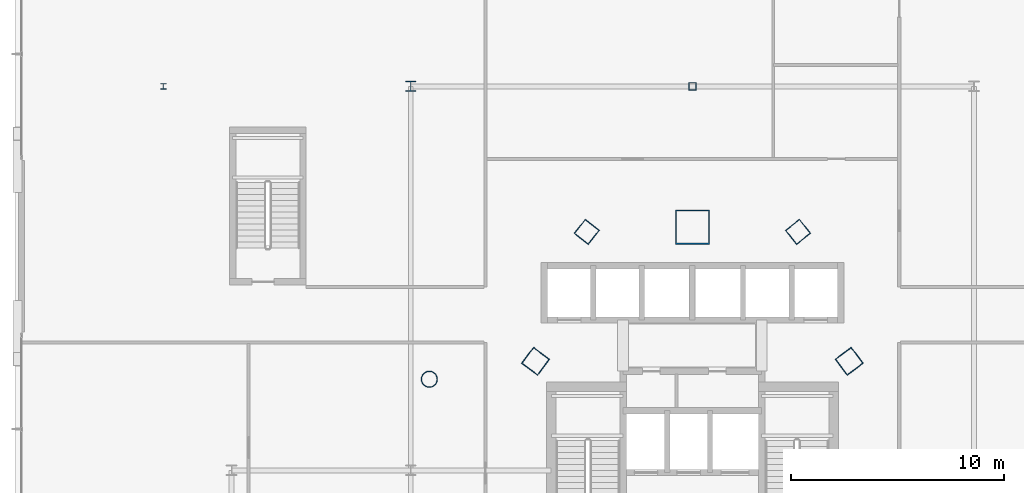
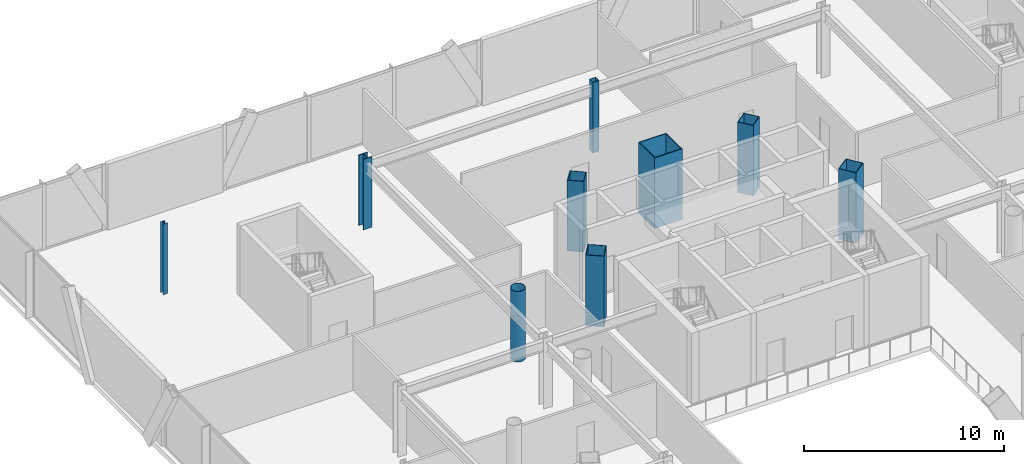
# One storey, part 3 of 42: 9 columns.
"""IFC4 building model written with IfcOpenShell, lengths in metres."""

from ifc_helpers import new_model, si_unit, direction, frame, origin, origin_2d, place, context, subcontext, project, spatial, hollow_rectangle, hollow_circle, i_section, extrude, material, material_profile, profile_set, type_object, element, save


model = new_model("IFC4")

# Units and contexts
model_context = context("Model", 3, precision=1e-05, world=origin(), true_north=direction((0.0, 1.0)))
body_context = subcontext(model_context, "Body", "Model", "MODEL_VIEW")
ifc_project = project(units=[si_unit("LENGTHUNIT", "METRE"), si_unit("AREAUNIT", "SQUARE_METRE"), si_unit("VOLUMEUNIT", "CUBIC_METRE"), si_unit("PLANEANGLEUNIT", "RADIAN"), si_unit("MASSUNIT", "GRAM", prefix="KILO")], contexts=[model_context])

# Site, building, storey
site_placement = place(None, origin())
site = spatial("IfcSite", under=ifc_project, at=site_placement, CompositionType="ELEMENT")
building_placement = place(site_placement, origin())
building = spatial("IfcBuilding", under=site, at=building_placement, Name="Orvanel Arch Residences", CompositionType="ELEMENT")
storey_placement = place(building_placement, frame((0.0, 0.0, 5.5)))
storey = spatial("IfcBuildingStorey", under=building, at=storey_placement, Name="L01", CompositionType="ELEMENT", Elevation=5.5)

# Columns
ifc_material_1 = material(Name="Structural steel AS/NZS 1163 C450L0 (Grade 450)", Category="steel")
ifc_material_profile_1 = material_profile(ifc_material_1, hollow_circle(Radius=0.381103515625, WallThickness=0.02197265625, at=origin_2d()), Name="CHS762x22")
ifc_profile_set_1 = profile_set([ifc_material_profile_1], Name="Structural steel AS/NZS 1163 C450L0 (Grade 450)")
column_type_1 = type_object("IfcColumnType", Name="CC-762", PredefinedType="COLUMN", material=ifc_profile_set_1)
column_1_placement = place(storey_placement, frame((20.669921875, 34.27099609375, 0.0), z_axis=(0.0, 0.0, 1.0), x_axis=(1.0, 0.0, 0.0)))
element("IfcColumn", 1, at=column_1_placement, inside=storey, type_object=column_type_1, Name="L01 Low-Rise Buttress Tube Column 01", PredefinedType="COLUMN", context=body_context, shape_type="SweptSolid", body=[
    extrude(hollow_circle(Radius=0.381103515625, WallThickness=0.02197265625, at=origin_2d()), origin(), (0.0, 0.0, 1.0), 4.300048828125),
])
ifc_material_2 = material(Name="Structural steel AS/NZS 3678 Grade 450", Category="steel")
ifc_material_profile_2 = material_profile(ifc_material_2, hollow_rectangle(XDim=1.60009765625, YDim=1.60009765625, WallThickness=0.050048828125, at=origin_2d()), Name="BOX1600x1600x50")
ifc_profile_set_2 = profile_set([ifc_material_profile_2], Name="Structural steel AS/NZS 3678 Grade 450")
column_type_2 = type_object("IfcColumnType", Name="MC-1600", PredefinedType="COLUMN", material=ifc_profile_set_2)
column_2_placement = place(storey_placement, frame((33.0, 41.39794921875, 0.0), z_axis=(0.0, 0.0, 1.0), x_axis=(1.0, 0.0, 0.0)))
element("IfcColumn", 2, at=column_2_placement, inside=storey, type_object=column_type_2, Name="L01 Corner Composite Mega-Column 1", PredefinedType="COLUMN", context=body_context, shape_type="SweptSolid", body=[
    extrude(hollow_rectangle(XDim=1.60009765625, YDim=1.60009765625, WallThickness=0.050048828125, at=origin_2d()), origin(), (0.0, 0.0, 1.0), 4.300048828125),
])
ifc_material_3 = material(Name="Structural steel AS/NZS 1163 C350L0 (Grade 350)", Category="steel")
ifc_material_profile_3 = material_profile(ifc_material_3, hollow_rectangle(XDim=0.35009765625, YDim=0.35009765625, WallThickness=0.01611328125, at=origin_2d()), Name="SHS350x350x16")
ifc_profile_set_3 = profile_set([ifc_material_profile_3], Name="Structural steel AS/NZS 1163 C350L0 (Grade 350)")
column_type_3 = type_object("IfcColumnType", Name="OC-350SHS", PredefinedType="COLUMN", material=ifc_profile_set_3)
column_3_placement = place(storey_placement, frame((33.0, 48.0, 0.0), z_axis=(0.0, 0.0, 1.0), x_axis=(1.0, 0.0, 0.0)))
element("IfcColumn", 3, at=column_3_placement, inside=storey, type_object=column_type_3, Name="L01 Auxiliary Podium Column 07", PredefinedType="COLUMN", context=body_context, shape_type="SweptSolid", body=[
    extrude(hollow_rectangle(XDim=0.35009765625, YDim=0.35009765625, WallThickness=0.01611328125, at=origin_2d()), origin(), (0.0, 0.0, 1.0), 4.300048828125),
])
ifc_material_4 = material(Name="Structural steel AS/NZS 3679.1 Grade 300 (300 MPa)", Category="steel")
ifc_material_profile_4 = material_profile(ifc_material_4, i_section(OverallWidth=0.256103515625, OverallDepth=0.260009765625, WebThickness=0.010498046875, FlangeThickness=0.017333984375, at=origin_2d()), Name="250UC89.5")
ifc_profile_set_4 = profile_set([ifc_material_profile_4], Name="Structural steel AS/NZS 3679.1 Grade 300 (300 MPa)")
column_type_4 = type_object("IfcColumnType", Name="SC-250UC", PredefinedType="COLUMN", material=ifc_profile_set_4)
column_4_placement = place(storey_placement, frame((8.199951171875, 48.0, 0.0), z_axis=(0.0, 0.0, 1.0), x_axis=(1.0, 0.0, 0.0)))
element("IfcColumn", 4, at=column_4_placement, inside=storey, type_object=column_type_4, Name="L01 Auxiliary Podium Column 05", PredefinedType="COLUMN", context=body_context, shape_type="SweptSolid", body=[
    extrude(i_section(OverallWidth=0.256103515625, OverallDepth=0.260009765625, WebThickness=0.010498046875, FlangeThickness=0.017333984375, at=origin_2d()), origin(), (0.0, 0.0, 1.0), 4.300048828125),
])
ifc_material_profile_5 = material_profile(ifc_material_4, i_section(OverallWidth=0.5, OverallDepth=0.47998046875, WebThickness=0.028076171875, FlangeThickness=0.0400390625, at=origin_2d()), Name="500WC440")
ifc_profile_set_5 = profile_set([ifc_material_profile_5], Name="Structural steel AS/NZS 3679.1 Grade 300 (300 MPa)")
column_type_5 = type_object("IfcColumnType", Name="SC-500WC", PredefinedType="COLUMN", material=ifc_profile_set_5)
column_5_placement = place(storey_placement, frame((19.800048828125, 48.0, 0.0), z_axis=(0.0, 0.0, 1.0), x_axis=(1.0, 0.0, 0.0)))
element("IfcColumn", 5, at=column_5_placement, inside=storey, type_object=column_type_5, Name="L01 Podium Grid Column 07", PredefinedType="COLUMN", context=body_context, shape_type="SweptSolid", body=[
    extrude(i_section(OverallWidth=0.5, OverallDepth=0.47998046875, WebThickness=0.028076171875, FlangeThickness=0.0400390625, at=origin_2d()), origin(), (0.0, 0.0, 1.0), 4.300048828125),
])
ifc_material_5 = material(Name="Structural steel AS/NZS 3678 Grade 350", Category="steel")
ifc_material_profile_6 = material_profile(ifc_material_5, hollow_rectangle(XDim=0.85009765625, YDim=0.85009765625, WallThickness=0.028076171875, at=origin_2d()), Name="BOX850x850x28")
ifc_profile_set_6 = profile_set([ifc_material_profile_6], Name="Structural steel AS/NZS 3678 Grade 350")
column_type_6 = type_object("IfcColumnType", Name="TC-850", PredefinedType="COLUMN", material=ifc_profile_set_6)
for number, where, z_axis, x_axis, name in (
    (6, (28.050048828125, 41.177978515625, 0.0), (0.0, 0.0, 1.0), (0.623879596709, 0.781520472419, 0.0), "L01 Mid-Rise Buttress Tube Column 01"),
    (7, (37.949951171875, 41.177978515625, 0.0), (0.0, 0.0, 1.0), (-0.623879596709, 0.781520472419, 0.0), "L01 Mid-Rise Buttress Tube Column 06"),
):
    element("IfcColumn", number, at=place(storey_placement, frame(where, z_axis=z_axis, x_axis=x_axis)), inside=storey, type_object=column_type_6, Name=name, PredefinedType="COLUMN", context=body_context, shape_type="SweptSolid", body=[
        extrude(hollow_rectangle(XDim=0.85009765625, YDim=0.85009765625, WallThickness=0.028076171875, at=origin_2d()), origin(), (0.0, 0.0, 1.0), 4.300048828125),
    ])
ifc_material_profile_7 = material_profile(ifc_material_5, hollow_rectangle(XDim=0.949951171875, YDim=0.949951171875, WallThickness=0.031982421875, at=origin_2d()), Name="BOX950x950x32")
ifc_profile_set_7 = profile_set([ifc_material_profile_7], Name="Structural steel AS/NZS 3678 Grade 350")
column_type_7 = type_object("IfcColumnType", Name="TC-950", PredefinedType="COLUMN", material=ifc_profile_set_7)
for number, where, z_axis, x_axis, name in (
    (8, (25.64794921875, 35.113037109375, 0.0), (0.0, 0.0, 1.0), (0.600420225326, 0.799684658487, 0.0), "L01 High-Rise Tube Column 01"),
    (9, (40.35205078125, 35.113037109375, 0.0), (0.0, 0.0, 1.0), (-0.600420225326, 0.799684658487, 0.0), "L01 High-Rise Tube Column 09"),
):
    element("IfcColumn", number, at=place(storey_placement, frame(where, z_axis=z_axis, x_axis=x_axis)), inside=storey, type_object=column_type_7, Name=name, PredefinedType="COLUMN", context=body_context, shape_type="SweptSolid", body=[
        extrude(hollow_rectangle(XDim=0.949951171875, YDim=0.949951171875, WallThickness=0.031982421875, at=origin_2d()), origin(), (0.0, 0.0, 1.0), 4.300048828125),
    ])

save(model, "model.ifc")
